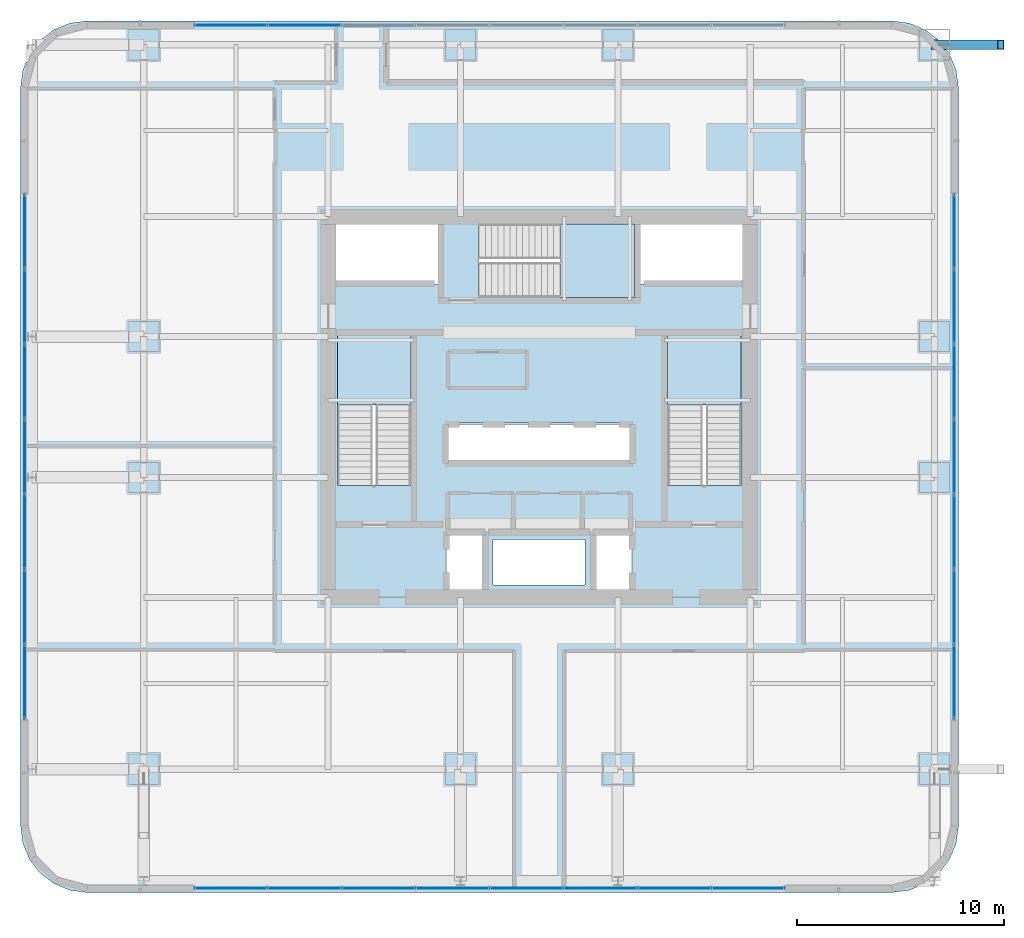
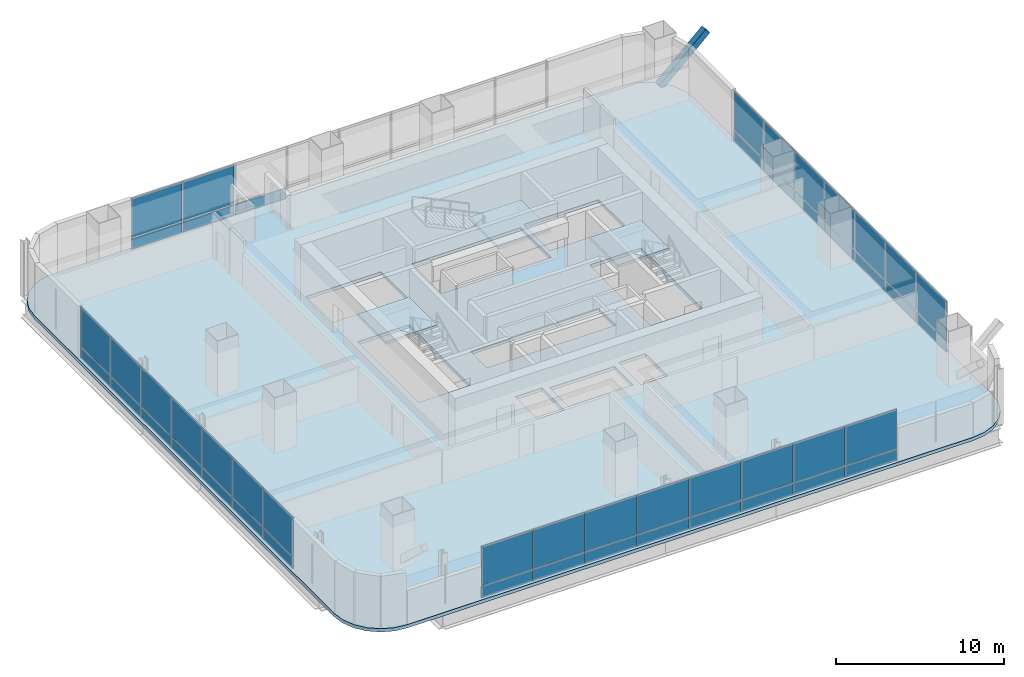
# One storey, part 25 of 45: 49 plates, 4 slabs, 1 member, 7 elements without a shape of their own.
"""IFC4 building model written with IfcOpenShell, lengths in metres."""

from ifc_helpers import new_model, si_unit, direction, frame, origin, origin_2d, place, context, subcontext, project, spatial, polyline, rectangle, hollow_rectangle, outline, extrude, material, layer, layer_set, material_profile, profile_set, type_object, element, aggregate, save


model = new_model("IFC4")

# Units and contexts
model_context = context("Model", 3, precision=1e-05, world=origin(), true_north=direction((0.0, 1.0)))
body_context = subcontext(model_context, "Body", "Model", "MODEL_VIEW")
ifc_project = project(units=[si_unit("LENGTHUNIT", "METRE"), si_unit("AREAUNIT", "SQUARE_METRE"), si_unit("VOLUMEUNIT", "CUBIC_METRE"), si_unit("PLANEANGLEUNIT", "RADIAN"), si_unit("MASSUNIT", "GRAM", prefix="KILO")], contexts=[model_context])

# Site, building, storey
site_placement = place(None, origin())
site = spatial("IfcSite", under=ifc_project, at=site_placement, CompositionType="ELEMENT")
building_placement = place(site_placement, origin())
building = spatial("IfcBuilding", under=site, at=building_placement, Name="Punatoya Terracotta Tower", CompositionType="ELEMENT")
storey_placement = place(building_placement, frame((0.0, 0.0, 56.550048828125)))
storey = spatial("IfcBuildingStorey", under=building, at=storey_placement, Name="L12", CompositionType="ELEMENT", Elevation=56.550048828125)

# Member
ifc_material_1 = material(Name="Steel S460", Category="steel")
ifc_material_profile = material_profile(ifc_material_1, hollow_rectangle(XDim=0.449951171875, YDim=0.449951171875, WallThickness=0.02490234375, at=origin_2d()))
ifc_profile_set = profile_set([ifc_material_profile], Name="Steel S460")
member_type = type_object("IfcMemberType", Name="MEM-STR-450", PredefinedType="STRUT", material=ifc_profile_set)
member_placement = place(storey_placement, frame((19.10009765625, 17.5, 0.02001953125), z_axis=(0.735244168043, 0.0, 0.677802340922), x_axis=(0.0, 1.0, 0.0)))
element("IfcMember", 1, at=member_placement, inside=storey, type_object=member_type, Name="L13 Cantilever Raking Knee-Strut E2", PredefinedType="STRUT", context=body_context, shape_type="SweptSolid", body=[
    extrude(hollow_rectangle(XDim=0.449951171875, YDim=0.449951171875, WallThickness=0.02490234375, at=origin_2d()), origin(), (0.0, 0.0, 1.0), 4.352294921875),
])

# Curtain wall, plates
ifc_material_2 = material(Name="Aluminium 6063-T6 + Double Low-E Glass", Category="aluminium")
curtain_wall_type = type_object("IfcCurtainWallType", Name="CW-M1", PredefinedType="NOTDEFINED", material=ifc_material_2)
curtain_wall_1_placement = place(storey_placement, origin())
curtain_wall_1 = element("IfcCurtainWall", 2, at=curtain_wall_1_placement, inside=storey, type_object=curtain_wall_type, Name="L12 Curtain Wall CW-L12-S01-1", PredefinedType="NOTDEFINED")
ifc_material_3 = material(Name="Double Low-E Clear Vision Glass", Category="glass")
ifc_layer_1 = layer(ifc_material_3, 0.028076171875)
ifc_layer_set_1 = layer_set([ifc_layer_1], Name="Double Low-E Clear Vision Glass")
plate_type_1 = type_object("IfcPlateType", Name="PLT-GLZ-28", PredefinedType="CURTAIN_PANEL", material=ifc_layer_set_1)
plate_1_placement = place(storey_placement, frame((-14.91259765625, -23.25, 0.89013671875), z_axis=(0.0, 0.0, 1.0), x_axis=(1.0, 0.0, 0.0)))
plate_1 = element("IfcPlate", 3, at=plate_1_placement, type_object=plate_type_1, Name="CW-L12-S01-1 Vision Glass Panel 1", PredefinedType="CURTAIN_PANEL", context=body_context, shape_type="SweptSolid", body=[
    extrude(rectangle(XDim=3.489990234375, YDim=0.028076171875, at=origin_2d()), origin(), (0.0, 0.0, 1.0), 2.840087890625),
])
plate_2_placement = place(storey_placement, frame((-11.33740234375, -23.25, 0.89013671875), z_axis=(0.0, 0.0, 1.0), x_axis=(1.0, 0.0, 0.0)))
plate_2 = element("IfcPlate", 4, at=plate_2_placement, type_object=plate_type_1, Name="CW-L12-S01-1 Vision Glass Panel 2", PredefinedType="CURTAIN_PANEL", context=body_context, shape_type="SweptSolid", body=[
    extrude(rectangle(XDim=3.489990234375, YDim=0.028076171875, at=origin_2d()), origin(), (0.0, 0.0, 1.0), 2.840087890625),
])
plate_3_placement = place(storey_placement, frame((-7.762451171875, -23.25, 0.89013671875), z_axis=(0.0, 0.0, 1.0), x_axis=(1.0, 0.0, 0.0)))
plate_3 = element("IfcPlate", 5, at=plate_3_placement, type_object=plate_type_1, Name="CW-L12-S01-1 Vision Glass Panel 3", PredefinedType="CURTAIN_PANEL", context=body_context, shape_type="SweptSolid", body=[
    extrude(rectangle(XDim=3.489990234375, YDim=0.028076171875, at=origin_2d()), origin(), (0.0, 0.0, 1.0), 2.840087890625),
])
plate_4_placement = place(storey_placement, frame((-4.1875, -23.25, 0.89013671875), z_axis=(0.0, 0.0, 1.0), x_axis=(1.0, 0.0, 0.0)))
plate_4 = element("IfcPlate", 6, at=plate_4_placement, type_object=plate_type_1, Name="CW-L12-S01-1 Vision Glass Panel 4", PredefinedType="CURTAIN_PANEL", context=body_context, shape_type="SweptSolid", body=[
    extrude(rectangle(XDim=3.489990234375, YDim=0.028076171875, at=origin_2d()), origin(), (0.0, 0.0, 1.0), 2.840087890625),
])
plate_5_placement = place(storey_placement, frame((-0.612548828125, -23.25, 0.89013671875), z_axis=(0.0, 0.0, 1.0), x_axis=(1.0, 0.0, 0.0)))
plate_5 = element("IfcPlate", 7, at=plate_5_placement, type_object=plate_type_1, Name="CW-L12-S01-1 Vision Glass Panel 5", PredefinedType="CURTAIN_PANEL", context=body_context, shape_type="SweptSolid", body=[
    extrude(rectangle(XDim=3.489990234375, YDim=0.028076171875, at=origin_2d()), origin(), (0.0, 0.0, 1.0), 2.840087890625),
])
plate_6_placement = place(storey_placement, frame((2.96240234375, -23.25, 0.89013671875), z_axis=(0.0, 0.0, 1.0), x_axis=(1.0, 0.0, 0.0)))
plate_6 = element("IfcPlate", 8, at=plate_6_placement, type_object=plate_type_1, Name="CW-L12-S01-1 Vision Glass Panel 6", PredefinedType="CURTAIN_PANEL", context=body_context, shape_type="SweptSolid", body=[
    extrude(rectangle(XDim=3.489990234375, YDim=0.028076171875, at=origin_2d()), origin(), (0.0, 0.0, 1.0), 2.840087890625),
])
plate_7_placement = place(storey_placement, frame((6.53759765625, -23.25, 0.89013671875), z_axis=(0.0, 0.0, 1.0), x_axis=(1.0, 0.0, 0.0)))
plate_7 = element("IfcPlate", 9, at=plate_7_placement, type_object=plate_type_1, Name="CW-L12-S01-1 Vision Glass Panel 7", PredefinedType="CURTAIN_PANEL", context=body_context, shape_type="SweptSolid", body=[
    extrude(rectangle(XDim=3.489990234375, YDim=0.028076171875, at=origin_2d()), origin(), (0.0, 0.0, 1.0), 2.840087890625),
])
plate_8_placement = place(storey_placement, frame((10.112548828125, -23.25, 0.89013671875), z_axis=(0.0, 0.0, 1.0), x_axis=(1.0, 0.0, 0.0)))
plate_8 = element("IfcPlate", 10, at=plate_8_placement, type_object=plate_type_1, Name="CW-L12-S01-1 Vision Glass Panel 8", PredefinedType="CURTAIN_PANEL", context=body_context, shape_type="SweptSolid", body=[
    extrude(rectangle(XDim=3.489990234375, YDim=0.028076171875, at=origin_2d()), origin(), (0.0, 0.0, 1.0), 2.840087890625),
])

curtain_wall_2_placement = place(storey_placement, origin())
curtain_wall_2 = element("IfcCurtainWall", 11, at=curtain_wall_2_placement, inside=storey, type_object=curtain_wall_type, Name="L12 Curtain Wall CW-L12-E05-1", PredefinedType="NOTDEFINED")
plate_9_placement = place(storey_placement, frame((20.050048828125, -13.28564453125, 0.89013671875), z_axis=(0.0, 0.0, 1.0), x_axis=(0.0, 1.0, 0.0)))
plate_9 = element("IfcPlate", 12, at=plate_9_placement, type_object=plate_type_1, Name="CW-L12-E05-1 Vision Glass Panel 1", PredefinedType="CURTAIN_PANEL", context=body_context, shape_type="SweptSolid", body=[
    extrude(rectangle(XDim=3.543701171875, YDim=0.028076171875, at=origin_2d()), origin(), (0.0, 0.0, 1.0), 2.840087890625),
])
plate_10_placement = place(storey_placement, frame((20.050048828125, -9.656982421875, 0.89013671875), z_axis=(0.0, 0.0, 1.0), x_axis=(0.0, 1.0, 0.0)))
plate_10 = element("IfcPlate", 13, at=plate_10_placement, type_object=plate_type_1, Name="CW-L12-E05-1 Vision Glass Panel 2", PredefinedType="CURTAIN_PANEL", context=body_context, shape_type="SweptSolid", body=[
    extrude(rectangle(XDim=3.543701171875, YDim=0.028076171875, at=origin_2d()), origin(), (0.0, 0.0, 1.0), 2.840087890625),
])
plate_11_placement = place(storey_placement, frame((20.050048828125, -6.028564453125, 0.89013671875), z_axis=(0.0, 0.0, 1.0), x_axis=(0.0, 1.0, 0.0)))
plate_11 = element("IfcPlate", 14, at=plate_11_placement, type_object=plate_type_1, Name="CW-L12-E05-1 Vision Glass Panel 3", PredefinedType="CURTAIN_PANEL", context=body_context, shape_type="SweptSolid", body=[
    extrude(rectangle(XDim=3.543701171875, YDim=0.028076171875, at=origin_2d()), origin(), (0.0, 0.0, 1.0), 2.840087890625),
])
plate_12_placement = place(storey_placement, frame((20.050048828125, -2.39990234375, 0.89013671875), z_axis=(0.0, 0.0, 1.0), x_axis=(0.0, 1.0, 0.0)))
plate_12 = element("IfcPlate", 15, at=plate_12_placement, type_object=plate_type_1, Name="CW-L12-E05-1 Vision Glass Panel 4", PredefinedType="CURTAIN_PANEL", context=body_context, shape_type="SweptSolid", body=[
    extrude(rectangle(XDim=3.543701171875, YDim=0.028076171875, at=origin_2d()), origin(), (0.0, 0.0, 1.0), 2.840087890625),
])
plate_13_placement = place(storey_placement, frame((20.050048828125, 1.228515625, 0.89013671875), z_axis=(0.0, 0.0, 1.0), x_axis=(0.0, 1.0, 0.0)))
plate_13 = element("IfcPlate", 16, at=plate_13_placement, type_object=plate_type_1, Name="CW-L12-E05-1 Vision Glass Panel 5", PredefinedType="CURTAIN_PANEL", context=body_context, shape_type="SweptSolid", body=[
    extrude(rectangle(XDim=3.543701171875, YDim=0.028076171875, at=origin_2d()), origin(), (0.0, 0.0, 1.0), 2.840087890625),
])
plate_14_placement = place(storey_placement, frame((20.050048828125, 4.857177734375, 0.89013671875), z_axis=(0.0, 0.0, 1.0), x_axis=(0.0, 1.0, 0.0)))
plate_14 = element("IfcPlate", 17, at=plate_14_placement, type_object=plate_type_1, Name="CW-L12-E05-1 Vision Glass Panel 6", PredefinedType="CURTAIN_PANEL", context=body_context, shape_type="SweptSolid", body=[
    extrude(rectangle(XDim=3.543701171875, YDim=0.028076171875, at=origin_2d()), origin(), (0.0, 0.0, 1.0), 2.840087890625),
])
plate_15_placement = place(storey_placement, frame((20.050048828125, 8.485595703125, 0.89013671875), z_axis=(0.0, 0.0, 1.0), x_axis=(0.0, 1.0, 0.0)))
plate_15 = element("IfcPlate", 18, at=plate_15_placement, type_object=plate_type_1, Name="CW-L12-E05-1 Vision Glass Panel 7", PredefinedType="CURTAIN_PANEL", context=body_context, shape_type="SweptSolid", body=[
    extrude(rectangle(XDim=3.543701171875, YDim=0.028076171875, at=origin_2d()), origin(), (0.0, 0.0, 1.0), 2.840087890625),
])

curtain_wall_3_placement = place(storey_placement, origin())
curtain_wall_3 = element("IfcCurtainWall", 19, at=curtain_wall_3_placement, inside=storey, type_object=curtain_wall_type, Name="L12 Curtain Wall CW-L12-N09-1", PredefinedType="NOTDEFINED")
plate_16_placement = place(storey_placement, frame((-11.33740234375, 18.449951171875, 0.89013671875), z_axis=(0.0, 0.0, 1.0), x_axis=(-1.0, 0.0, 0.0)))
plate_16 = element("IfcPlate", 20, at=plate_16_placement, type_object=plate_type_1, Name="CW-L12-N09-1 Vision Glass Panel 7", PredefinedType="CURTAIN_PANEL", context=body_context, shape_type="SweptSolid", body=[
    extrude(rectangle(XDim=3.489990234375, YDim=0.028076171875, at=origin_2d()), origin(), (0.0, 0.0, 1.0), 2.840087890625),
])
plate_17_placement = place(storey_placement, frame((-14.91259765625, 18.449951171875, 0.89013671875), z_axis=(0.0, 0.0, 1.0), x_axis=(-1.0, 0.0, 0.0)))
plate_17 = element("IfcPlate", 21, at=plate_17_placement, type_object=plate_type_1, Name="CW-L12-N09-1 Vision Glass Panel 8", PredefinedType="CURTAIN_PANEL", context=body_context, shape_type="SweptSolid", body=[
    extrude(rectangle(XDim=3.489990234375, YDim=0.028076171875, at=origin_2d()), origin(), (0.0, 0.0, 1.0), 2.840087890625),
])

curtain_wall_4_placement = place(storey_placement, origin())
curtain_wall_4 = element("IfcCurtainWall", 22, at=curtain_wall_4_placement, inside=storey, type_object=curtain_wall_type, Name="L12 Curtain Wall CW-L12-W13-1", PredefinedType="NOTDEFINED")
plate_18_placement = place(storey_placement, frame((-24.85009765625, 8.485595703125, 0.89013671875), z_axis=(0.0, 0.0, 1.0), x_axis=(0.0, -1.0, 0.0)))
plate_18 = element("IfcPlate", 23, at=plate_18_placement, type_object=plate_type_1, Name="CW-L12-W13-1 Vision Glass Panel 1", PredefinedType="CURTAIN_PANEL", context=body_context, shape_type="SweptSolid", body=[
    extrude(rectangle(XDim=3.543701171875, YDim=0.028076171875, at=origin_2d()), origin(), (0.0, 0.0, 1.0), 2.840087890625),
])
plate_19_placement = place(storey_placement, frame((-24.85009765625, 4.857177734375, 0.89013671875), z_axis=(0.0, 0.0, 1.0), x_axis=(0.0, -1.0, 0.0)))
plate_19 = element("IfcPlate", 24, at=plate_19_placement, type_object=plate_type_1, Name="CW-L12-W13-1 Vision Glass Panel 2", PredefinedType="CURTAIN_PANEL", context=body_context, shape_type="SweptSolid", body=[
    extrude(rectangle(XDim=3.543701171875, YDim=0.028076171875, at=origin_2d()), origin(), (0.0, 0.0, 1.0), 2.840087890625),
])
plate_20_placement = place(storey_placement, frame((-24.85009765625, 1.228515625, 0.89013671875), z_axis=(0.0, 0.0, 1.0), x_axis=(0.0, -1.0, 0.0)))
plate_20 = element("IfcPlate", 25, at=plate_20_placement, type_object=plate_type_1, Name="CW-L12-W13-1 Vision Glass Panel 3", PredefinedType="CURTAIN_PANEL", context=body_context, shape_type="SweptSolid", body=[
    extrude(rectangle(XDim=3.543701171875, YDim=0.028076171875, at=origin_2d()), origin(), (0.0, 0.0, 1.0), 2.840087890625),
])
plate_21_placement = place(storey_placement, frame((-24.85009765625, -2.39990234375, 0.89013671875), z_axis=(0.0, 0.0, 1.0), x_axis=(0.0, -1.0, 0.0)))
plate_21 = element("IfcPlate", 26, at=plate_21_placement, type_object=plate_type_1, Name="CW-L12-W13-1 Vision Glass Panel 4", PredefinedType="CURTAIN_PANEL", context=body_context, shape_type="SweptSolid", body=[
    extrude(rectangle(XDim=3.543701171875, YDim=0.028076171875, at=origin_2d()), origin(), (0.0, 0.0, 1.0), 2.840087890625),
])
plate_22_placement = place(storey_placement, frame((-24.85009765625, -6.028564453125, 0.89013671875), z_axis=(0.0, 0.0, 1.0), x_axis=(0.0, -1.0, 0.0)))
plate_22 = element("IfcPlate", 27, at=plate_22_placement, type_object=plate_type_1, Name="CW-L12-W13-1 Vision Glass Panel 5", PredefinedType="CURTAIN_PANEL", context=body_context, shape_type="SweptSolid", body=[
    extrude(rectangle(XDim=3.543701171875, YDim=0.028076171875, at=origin_2d()), origin(), (0.0, 0.0, 1.0), 2.840087890625),
])
plate_23_placement = place(storey_placement, frame((-24.85009765625, -9.656982421875, 0.89013671875), z_axis=(0.0, 0.0, 1.0), x_axis=(0.0, -1.0, 0.0)))
plate_23 = element("IfcPlate", 28, at=plate_23_placement, type_object=plate_type_1, Name="CW-L12-W13-1 Vision Glass Panel 6", PredefinedType="CURTAIN_PANEL", context=body_context, shape_type="SweptSolid", body=[
    extrude(rectangle(XDim=3.543701171875, YDim=0.028076171875, at=origin_2d()), origin(), (0.0, 0.0, 1.0), 2.840087890625),
])
plate_24_placement = place(storey_placement, frame((-24.85009765625, -13.28564453125, 0.89013671875), z_axis=(0.0, 0.0, 1.0), x_axis=(0.0, -1.0, 0.0)))
plate_24 = element("IfcPlate", 29, at=plate_24_placement, type_object=plate_type_1, Name="CW-L12-W13-1 Vision Glass Panel 7", PredefinedType="CURTAIN_PANEL", context=body_context, shape_type="SweptSolid", body=[
    extrude(rectangle(XDim=3.543701171875, YDim=0.028076171875, at=origin_2d()), origin(), (0.0, 0.0, 1.0), 2.840087890625),
])

# Plate
ifc_material_4 = material(Name="Insulated Terracotta-Backed Spandrel Panel", Category="masonry")
ifc_layer_2 = layer(ifc_material_4, 0.044921875)
ifc_layer_set_2 = layer_set([ifc_layer_2], Name="Insulated Terracotta-Backed Spandrel Panel")
plate_type_2 = type_object("IfcPlateType", Name="PLT-SPN-45", PredefinedType="CURTAIN_PANEL", material=ifc_layer_set_2)
plate_25_placement = place(storey_placement, frame((-14.91259765625, -23.25, 0.0400390625), z_axis=(0.0, 0.0, 1.0), x_axis=(1.0, 0.0, 0.0)))
plate_25 = element("IfcPlate", 30, at=plate_25_placement, type_object=plate_type_2, Name="CW-L12-S01-1 Terracotta Spandrel Panel 1", PredefinedType="CURTAIN_PANEL", context=body_context, shape_type="SweptSolid", body=[
    extrude(rectangle(XDim=3.489990234375, YDim=0.044921875, at=origin_2d()), origin(), (0.0, 0.0, 1.0), 0.77490234375),
])

plate_26_placement = place(storey_placement, frame((-11.33740234375, -23.25, 0.0400390625), z_axis=(0.0, 0.0, 1.0), x_axis=(1.0, 0.0, 0.0)))
plate_26 = element("IfcPlate", 31, at=plate_26_placement, type_object=plate_type_2, Name="CW-L12-S01-1 Terracotta Spandrel Panel 2", PredefinedType="CURTAIN_PANEL", context=body_context, shape_type="SweptSolid", body=[
    extrude(rectangle(XDim=3.489990234375, YDim=0.044921875, at=origin_2d()), origin(), (0.0, 0.0, 1.0), 0.77490234375),
])

plate_27_placement = place(storey_placement, frame((-7.762451171875, -23.25, 0.0400390625), z_axis=(0.0, 0.0, 1.0), x_axis=(1.0, 0.0, 0.0)))
plate_27 = element("IfcPlate", 32, at=plate_27_placement, type_object=plate_type_2, Name="CW-L12-S01-1 Terracotta Spandrel Panel 3", PredefinedType="CURTAIN_PANEL", context=body_context, shape_type="SweptSolid", body=[
    extrude(rectangle(XDim=3.489990234375, YDim=0.044921875, at=origin_2d()), origin(), (0.0, 0.0, 1.0), 0.77490234375),
])

plate_28_placement = place(storey_placement, frame((-4.1875, -23.25, 0.0400390625), z_axis=(0.0, 0.0, 1.0), x_axis=(1.0, 0.0, 0.0)))
plate_28 = element("IfcPlate", 33, at=plate_28_placement, type_object=plate_type_2, Name="CW-L12-S01-1 Terracotta Spandrel Panel 4", PredefinedType="CURTAIN_PANEL", context=body_context, shape_type="SweptSolid", body=[
    extrude(rectangle(XDim=3.489990234375, YDim=0.044921875, at=origin_2d()), origin(), (0.0, 0.0, 1.0), 0.77490234375),
])

plate_29_placement = place(storey_placement, frame((-0.612548828125, -23.25, 0.0400390625), z_axis=(0.0, 0.0, 1.0), x_axis=(1.0, 0.0, 0.0)))
plate_29 = element("IfcPlate", 34, at=plate_29_placement, type_object=plate_type_2, Name="CW-L12-S01-1 Terracotta Spandrel Panel 5", PredefinedType="CURTAIN_PANEL", context=body_context, shape_type="SweptSolid", body=[
    extrude(rectangle(XDim=3.489990234375, YDim=0.044921875, at=origin_2d()), origin(), (0.0, 0.0, 1.0), 0.77490234375),
])

plate_30_placement = place(storey_placement, frame((2.96240234375, -23.25, 0.0400390625), z_axis=(0.0, 0.0, 1.0), x_axis=(1.0, 0.0, 0.0)))
plate_30 = element("IfcPlate", 35, at=plate_30_placement, type_object=plate_type_2, Name="CW-L12-S01-1 Terracotta Spandrel Panel 6", PredefinedType="CURTAIN_PANEL", context=body_context, shape_type="SweptSolid", body=[
    extrude(rectangle(XDim=3.489990234375, YDim=0.044921875, at=origin_2d()), origin(), (0.0, 0.0, 1.0), 0.77490234375),
])

plate_31_placement = place(storey_placement, frame((6.53759765625, -23.25, 0.0400390625), z_axis=(0.0, 0.0, 1.0), x_axis=(1.0, 0.0, 0.0)))
plate_31 = element("IfcPlate", 36, at=plate_31_placement, type_object=plate_type_2, Name="CW-L12-S01-1 Terracotta Spandrel Panel 7", PredefinedType="CURTAIN_PANEL", context=body_context, shape_type="SweptSolid", body=[
    extrude(rectangle(XDim=3.489990234375, YDim=0.044921875, at=origin_2d()), origin(), (0.0, 0.0, 1.0), 0.77490234375),
])

plate_32_placement = place(storey_placement, frame((10.112548828125, -23.25, 0.0400390625), z_axis=(0.0, 0.0, 1.0), x_axis=(1.0, 0.0, 0.0)))
plate_32 = element("IfcPlate", 37, at=plate_32_placement, type_object=plate_type_2, Name="CW-L12-S01-1 Terracotta Spandrel Panel 8", PredefinedType="CURTAIN_PANEL", context=body_context, shape_type="SweptSolid", body=[
    extrude(rectangle(XDim=3.489990234375, YDim=0.044921875, at=origin_2d()), origin(), (0.0, 0.0, 1.0), 0.77490234375),
])

aggregate(curtain_wall_1, [plate_25, plate_1, plate_26, plate_2, plate_27, plate_3, plate_28, plate_4, plate_29, plate_5, plate_30, plate_6, plate_31, plate_7, plate_32, plate_8])

plate_33_placement = place(storey_placement, frame((20.050048828125, -13.28564453125, 0.0400390625), z_axis=(0.0, 0.0, 1.0), x_axis=(0.0, 1.0, 0.0)))
plate_33 = element("IfcPlate", 38, at=plate_33_placement, type_object=plate_type_2, Name="CW-L12-E05-1 Terracotta Spandrel Panel 1", PredefinedType="CURTAIN_PANEL", context=body_context, shape_type="SweptSolid", body=[
    extrude(rectangle(XDim=3.543701171875, YDim=0.044921875, at=origin_2d()), origin(), (0.0, 0.0, 1.0), 0.77490234375),
])

plate_34_placement = place(storey_placement, frame((20.050048828125, -9.656982421875, 0.0400390625), z_axis=(0.0, 0.0, 1.0), x_axis=(0.0, 1.0, 0.0)))
plate_34 = element("IfcPlate", 39, at=plate_34_placement, type_object=plate_type_2, Name="CW-L12-E05-1 Terracotta Spandrel Panel 2", PredefinedType="CURTAIN_PANEL", context=body_context, shape_type="SweptSolid", body=[
    extrude(rectangle(XDim=3.543701171875, YDim=0.044921875, at=origin_2d()), origin(), (0.0, 0.0, 1.0), 0.77490234375),
])

plate_35_placement = place(storey_placement, frame((20.050048828125, -6.028564453125, 0.0400390625), z_axis=(0.0, 0.0, 1.0), x_axis=(0.0, 1.0, 0.0)))
plate_35 = element("IfcPlate", 40, at=plate_35_placement, type_object=plate_type_2, Name="CW-L12-E05-1 Terracotta Spandrel Panel 3", PredefinedType="CURTAIN_PANEL", context=body_context, shape_type="SweptSolid", body=[
    extrude(rectangle(XDim=3.543701171875, YDim=0.044921875, at=origin_2d()), origin(), (0.0, 0.0, 1.0), 0.77490234375),
])

plate_36_placement = place(storey_placement, frame((20.050048828125, -2.39990234375, 0.0400390625), z_axis=(0.0, 0.0, 1.0), x_axis=(0.0, 1.0, 0.0)))
plate_36 = element("IfcPlate", 41, at=plate_36_placement, type_object=plate_type_2, Name="CW-L12-E05-1 Terracotta Spandrel Panel 4", PredefinedType="CURTAIN_PANEL", context=body_context, shape_type="SweptSolid", body=[
    extrude(rectangle(XDim=3.543701171875, YDim=0.044921875, at=origin_2d()), origin(), (0.0, 0.0, 1.0), 0.77490234375),
])

plate_37_placement = place(storey_placement, frame((20.050048828125, 1.228515625, 0.0400390625), z_axis=(0.0, 0.0, 1.0), x_axis=(0.0, 1.0, 0.0)))
plate_37 = element("IfcPlate", 42, at=plate_37_placement, type_object=plate_type_2, Name="CW-L12-E05-1 Terracotta Spandrel Panel 5", PredefinedType="CURTAIN_PANEL", context=body_context, shape_type="SweptSolid", body=[
    extrude(rectangle(XDim=3.543701171875, YDim=0.044921875, at=origin_2d()), origin(), (0.0, 0.0, 1.0), 0.77490234375),
])

plate_38_placement = place(storey_placement, frame((20.050048828125, 4.857177734375, 0.0400390625), z_axis=(0.0, 0.0, 1.0), x_axis=(0.0, 1.0, 0.0)))
plate_38 = element("IfcPlate", 43, at=plate_38_placement, type_object=plate_type_2, Name="CW-L12-E05-1 Terracotta Spandrel Panel 6", PredefinedType="CURTAIN_PANEL", context=body_context, shape_type="SweptSolid", body=[
    extrude(rectangle(XDim=3.543701171875, YDim=0.044921875, at=origin_2d()), origin(), (0.0, 0.0, 1.0), 0.77490234375),
])

plate_39_placement = place(storey_placement, frame((20.050048828125, 8.485595703125, 0.0400390625), z_axis=(0.0, 0.0, 1.0), x_axis=(0.0, 1.0, 0.0)))
plate_39 = element("IfcPlate", 44, at=plate_39_placement, type_object=plate_type_2, Name="CW-L12-E05-1 Terracotta Spandrel Panel 7", PredefinedType="CURTAIN_PANEL", context=body_context, shape_type="SweptSolid", body=[
    extrude(rectangle(XDim=3.543701171875, YDim=0.044921875, at=origin_2d()), origin(), (0.0, 0.0, 1.0), 0.77490234375),
])

aggregate(curtain_wall_2, [plate_33, plate_9, plate_34, plate_10, plate_35, plate_11, plate_36, plate_12, plate_37, plate_13, plate_38, plate_14, plate_39, plate_15])

plate_40_placement = place(storey_placement, frame((-7.762451171875, 18.449951171875, 0.0400390625), z_axis=(0.0, 0.0, 1.0), x_axis=(-1.0, 0.0, 0.0)))
plate_40 = element("IfcPlate", 45, at=plate_40_placement, type_object=plate_type_2, Name="CW-L12-N09-1 Terracotta Spandrel Panel 6", PredefinedType="CURTAIN_PANEL", context=body_context, shape_type="SweptSolid", body=[
    extrude(rectangle(XDim=3.489990234375, YDim=0.044921875, at=origin_2d()), origin(), (0.0, 0.0, 1.0), 0.77490234375),
])

plate_41_placement = place(storey_placement, frame((-11.33740234375, 18.449951171875, 0.0400390625), z_axis=(0.0, 0.0, 1.0), x_axis=(-1.0, 0.0, 0.0)))
plate_41 = element("IfcPlate", 46, at=plate_41_placement, type_object=plate_type_2, Name="CW-L12-N09-1 Terracotta Spandrel Panel 7", PredefinedType="CURTAIN_PANEL", context=body_context, shape_type="SweptSolid", body=[
    extrude(rectangle(XDim=3.489990234375, YDim=0.044921875, at=origin_2d()), origin(), (0.0, 0.0, 1.0), 0.77490234375),
])

plate_42_placement = place(storey_placement, frame((-14.91259765625, 18.449951171875, 0.0400390625), z_axis=(0.0, 0.0, 1.0), x_axis=(-1.0, 0.0, 0.0)))
plate_42 = element("IfcPlate", 47, at=plate_42_placement, type_object=plate_type_2, Name="CW-L12-N09-1 Terracotta Spandrel Panel 8", PredefinedType="CURTAIN_PANEL", context=body_context, shape_type="SweptSolid", body=[
    extrude(rectangle(XDim=3.489990234375, YDim=0.044921875, at=origin_2d()), origin(), (0.0, 0.0, 1.0), 0.77490234375),
])

aggregate(curtain_wall_3, [plate_40, plate_41, plate_16, plate_42, plate_17])

plate_43_placement = place(storey_placement, frame((-24.85009765625, 8.485595703125, 0.0400390625), z_axis=(0.0, 0.0, 1.0), x_axis=(0.0, -1.0, 0.0)))
plate_43 = element("IfcPlate", 48, at=plate_43_placement, type_object=plate_type_2, Name="CW-L12-W13-1 Terracotta Spandrel Panel 1", PredefinedType="CURTAIN_PANEL", context=body_context, shape_type="SweptSolid", body=[
    extrude(rectangle(XDim=3.543701171875, YDim=0.044921875, at=origin_2d()), origin(), (0.0, 0.0, 1.0), 0.77490234375),
])

plate_44_placement = place(storey_placement, frame((-24.85009765625, 4.857177734375, 0.0400390625), z_axis=(0.0, 0.0, 1.0), x_axis=(0.0, -1.0, 0.0)))
plate_44 = element("IfcPlate", 49, at=plate_44_placement, type_object=plate_type_2, Name="CW-L12-W13-1 Terracotta Spandrel Panel 2", PredefinedType="CURTAIN_PANEL", context=body_context, shape_type="SweptSolid", body=[
    extrude(rectangle(XDim=3.543701171875, YDim=0.044921875, at=origin_2d()), origin(), (0.0, 0.0, 1.0), 0.77490234375),
])

plate_45_placement = place(storey_placement, frame((-24.85009765625, 1.228515625, 0.0400390625), z_axis=(0.0, 0.0, 1.0), x_axis=(0.0, -1.0, 0.0)))
plate_45 = element("IfcPlate", 50, at=plate_45_placement, type_object=plate_type_2, Name="CW-L12-W13-1 Terracotta Spandrel Panel 3", PredefinedType="CURTAIN_PANEL", context=body_context, shape_type="SweptSolid", body=[
    extrude(rectangle(XDim=3.543701171875, YDim=0.044921875, at=origin_2d()), origin(), (0.0, 0.0, 1.0), 0.77490234375),
])

plate_46_placement = place(storey_placement, frame((-24.85009765625, -2.39990234375, 0.0400390625), z_axis=(0.0, 0.0, 1.0), x_axis=(0.0, -1.0, 0.0)))
plate_46 = element("IfcPlate", 51, at=plate_46_placement, type_object=plate_type_2, Name="CW-L12-W13-1 Terracotta Spandrel Panel 4", PredefinedType="CURTAIN_PANEL", context=body_context, shape_type="SweptSolid", body=[
    extrude(rectangle(XDim=3.543701171875, YDim=0.044921875, at=origin_2d()), origin(), (0.0, 0.0, 1.0), 0.77490234375),
])

plate_47_placement = place(storey_placement, frame((-24.85009765625, -6.028564453125, 0.0400390625), z_axis=(0.0, 0.0, 1.0), x_axis=(0.0, -1.0, 0.0)))
plate_47 = element("IfcPlate", 52, at=plate_47_placement, type_object=plate_type_2, Name="CW-L12-W13-1 Terracotta Spandrel Panel 5", PredefinedType="CURTAIN_PANEL", context=body_context, shape_type="SweptSolid", body=[
    extrude(rectangle(XDim=3.543701171875, YDim=0.044921875, at=origin_2d()), origin(), (0.0, 0.0, 1.0), 0.77490234375),
])

plate_48_placement = place(storey_placement, frame((-24.85009765625, -9.656982421875, 0.0400390625), z_axis=(0.0, 0.0, 1.0), x_axis=(0.0, -1.0, 0.0)))
plate_48 = element("IfcPlate", 53, at=plate_48_placement, type_object=plate_type_2, Name="CW-L12-W13-1 Terracotta Spandrel Panel 6", PredefinedType="CURTAIN_PANEL", context=body_context, shape_type="SweptSolid", body=[
    extrude(rectangle(XDim=3.543701171875, YDim=0.044921875, at=origin_2d()), origin(), (0.0, 0.0, 1.0), 0.77490234375),
])

plate_49_placement = place(storey_placement, frame((-24.85009765625, -13.28564453125, 0.0400390625), z_axis=(0.0, 0.0, 1.0), x_axis=(0.0, -1.0, 0.0)))
plate_49 = element("IfcPlate", 54, at=plate_49_placement, type_object=plate_type_2, Name="CW-L12-W13-1 Terracotta Spandrel Panel 7", PredefinedType="CURTAIN_PANEL", context=body_context, shape_type="SweptSolid", body=[
    extrude(rectangle(XDim=3.543701171875, YDim=0.044921875, at=origin_2d()), origin(), (0.0, 0.0, 1.0), 0.77490234375),
])

aggregate(curtain_wall_4, [plate_43, plate_18, plate_44, plate_19, plate_45, plate_20, plate_46, plate_21, plate_47, plate_22, plate_48, plate_23, plate_49, plate_24])

# Stair, slab
ifc_material_5 = material(Name="Concrete C40/50", Category="concrete")
stair_type_1 = type_object("IfcStairType", Name="STR-TER-1450", PredefinedType="HALF_TURN_STAIR", material=ifc_material_5)
stair_1_placement = place(storey_placement, origin())
stair_1 = element("IfcStair", 55, at=stair_1_placement, inside=storey, type_object=stair_type_1, Name="L12 Protected Core Exit Stair ST-3", PredefinedType="HALF_TURN_STAIR")
ifc_layer_3 = layer(ifc_material_5, 0.1650390625)
ifc_layer_set_3 = layer_set([ifc_layer_3], Name="Concrete C40/50")
slab_type_1 = type_object("IfcSlabType", Name="SLB-LND-165", PredefinedType="LANDING", material=ifc_layer_set_3)
slab_1_placement = place(storey_placement, frame((0.0, 0.0, 1.824951171875)))
slab_1 = element("IfcSlab", 56, at=slab_1_placement, type_object=slab_type_1, Name="ST-3 landing 1", PredefinedType="LANDING", context=body_context, shape_type="SweptSolid", body=[
    extrude(outline(polyline([(1.0, 5.300048828125), (4.60009765625, 5.300048828125), (4.60009765625, 8.85009765625), (1.0, 8.85009765625), (1.0, 5.300048828125)])), origin(), (0.0, 0.0, 1.0), 0.199951171875),
])
aggregate(stair_1, [slab_1])

stair_type_2 = type_object("IfcStairType", Name="STR-CORE-1550", PredefinedType="HALF_TURN_STAIR", material=ifc_material_5)
stair_2_placement = place(storey_placement, origin())
stair_2 = element("IfcStair", 57, at=stair_2_placement, inside=storey, type_object=stair_type_2, Name="L12 Protected Core Exit Stair ST-1", PredefinedType="HALF_TURN_STAIR")
ifc_layer_4 = layer(ifc_material_5, 0.179931640625)
ifc_layer_set_4 = layer_set([ifc_layer_4], Name="Concrete C40/50")
slab_type_2 = type_object("IfcSlabType", Name="SLB-LND-180", PredefinedType="LANDING", material=ifc_layer_set_4)
slab_2_placement = place(storey_placement, frame((0.0, 0.0, 1.824951171875)))
slab_2 = element("IfcSlab", 58, at=slab_2_placement, type_object=slab_type_2, Name="ST-1 landing 1", PredefinedType="LANDING", context=body_context, shape_type="SweptSolid", body=[
    extrude(outline(polyline([(-6.199951171875, 0.10009765625), (-6.199951171875, 3.449951171875), (-9.75, 3.449951171875), (-9.75, 0.10009765625), (-6.199951171875, 0.10009765625)])), origin(), (0.0, 0.0, 1.0), 0.199951171875),
])
aggregate(stair_2, [slab_2])

stair_type_3 = type_object("IfcStairType", Name="STR-LOB-1650", PredefinedType="HALF_TURN_STAIR", material=ifc_material_5)
stair_3_placement = place(storey_placement, origin())
stair_3 = element("IfcStair", 59, at=stair_3_placement, inside=storey, type_object=stair_type_3, Name="L12 Protected Core Exit Stair ST-2", PredefinedType="HALF_TURN_STAIR")
slab_3_placement = place(storey_placement, frame((0.0, 0.0, 1.824951171875)))
slab_3 = element("IfcSlab", 60, at=slab_3_placement, type_object=slab_type_2, Name="ST-2 landing 1", PredefinedType="LANDING", context=body_context, shape_type="SweptSolid", body=[
    extrude(outline(polyline([(9.75, 0.10009765625), (9.75, 3.449951171875), (6.199951171875, 3.449951171875), (6.199951171875, 0.10009765625), (9.75, 0.10009765625)])), origin(), (0.0, 0.0, 1.0), 0.199951171875),
])
aggregate(stair_3, [slab_3])

# Slab
ifc_layer_5 = layer(ifc_material_5, 0.239990234375)
ifc_layer_set_5 = layer_set([ifc_layer_5], Name="Concrete C40/50")
slab_type_3 = type_object("IfcSlabType", Name="SLB-OFF-240", PredefinedType="FLOOR", material=ifc_layer_set_5)
slab_4_placement = place(storey_placement, frame((0.0, 0.0, -0.239990234375)))
element("IfcSlab", 61, at=slab_4_placement, inside=storey, type_object=slab_type_3, Name="L12 Structural Floor Slab", PredefinedType="FLOOR", context=body_context, shape_type="SweptSolid", body=[
    extrude(outline(polyline([(-21.85009765625, -23.449951171875), (-22.67822265625, -23.341064453125), (-23.449951171875, -23.021240234375), (-24.11279296875, -22.5126953125), (-24.621337890625, -21.85009765625), (-24.94091796875, -21.078125), (-25.050048828125, -20.25), (-25.050048828125, 15.449951171875), (-24.94091796875, 16.2783203125), (-24.621337890625, 17.050048828125), (-24.11279296875, 17.712646484375), (-23.449951171875, 18.22119140625), (-22.67822265625, 18.541015625), (-21.85009765625, 18.64990234375), (17.050048828125, 18.64990234375), (17.878173828125, 18.541015625), (18.64990234375, 18.22119140625), (19.312744140625, 17.712646484375), (19.8212890625, 17.050048828125), (20.14111328125, 16.2783203125), (20.25, 15.449951171875), (20.25, -20.25), (20.14111328125, -21.078125), (19.8212890625, -21.85009765625), (19.312744140625, -22.5126953125), (18.64990234375, -23.021240234375), (17.878173828125, -23.341064453125), (17.050048828125, -23.449951171875), (-21.85009765625, -23.449951171875)]), holes=[polyline([(-2.6298828125, -6.179931640625), (-4.469970703125, -6.179931640625), (-4.469970703125, -8.820068359375), (-2.6298828125, -8.820068359375), (-2.6298828125, -6.179931640625)]), polyline([(0.02001953125, -8.594970703125), (2.219970703125, -8.594970703125), (2.219970703125, -6.405029296875), (0.02001953125, -6.405029296875), (-0.02001953125, -6.405029296875), (-2.219970703125, -6.405029296875), (-2.219970703125, -8.594970703125), (-0.02001953125, -8.594970703125), (0.02001953125, -8.594970703125)]), polyline([(-2.219970703125, -2.719970703125), (-2.179931640625, -2.719970703125), (-0.02001953125, -2.719970703125), (0.02001953125, -2.719970703125), (2.179931640625, -2.719970703125), (2.219970703125, -2.719970703125), (4.419921875, -2.719970703125), (4.419921875, -0.780029296875), (2.219970703125, -0.780029296875), (2.179931640625, -0.780029296875), (0.02001953125, -0.780029296875), (-0.02001953125, -0.780029296875), (-2.179931640625, -0.780029296875), (-2.219970703125, -0.780029296875), (-4.419921875, -0.780029296875), (-4.419921875, -2.719970703125), (-2.219970703125, -2.719970703125)]), polyline([(-6.199951171875, 3.449951171875), (-9.75, 3.449951171875), (-9.75, -3.79931640625), (-6.199951171875, -3.79931640625), (-6.199951171875, 3.449951171875)]), polyline([(4.60009765625, 5.300048828125), (4.60009765625, 8.85009765625), (-2.899169921875, 8.85009765625), (-2.899169921875, 5.300048828125), (4.60009765625, 5.300048828125)]), polyline([(-4.89990234375, 9.050048828125), (-10.050048828125, 9.050048828125), (-10.050048828125, 5.949951171875), (-4.89990234375, 5.949951171875), (-4.89990234375, 9.050048828125)]), polyline([(4.469970703125, -8.820068359375), (4.469970703125, -6.179931640625), (2.6298828125, -6.179931640625), (2.6298828125, -8.820068359375), (4.469970703125, -8.820068359375)]), polyline([(9.75, 3.449951171875), (6.199951171875, 3.449951171875), (6.199951171875, -3.79931640625), (9.75, -3.79931640625), (9.75, 3.449951171875)]), polyline([(10.050048828125, 5.949951171875), (10.050048828125, 9.050048828125), (4.89990234375, 9.050048828125), (4.89990234375, 5.949951171875), (10.050048828125, 5.949951171875)])]), origin(), (0.0, 0.0, 1.0), 0.239990234375),
])

save(model, "model.ifc")
